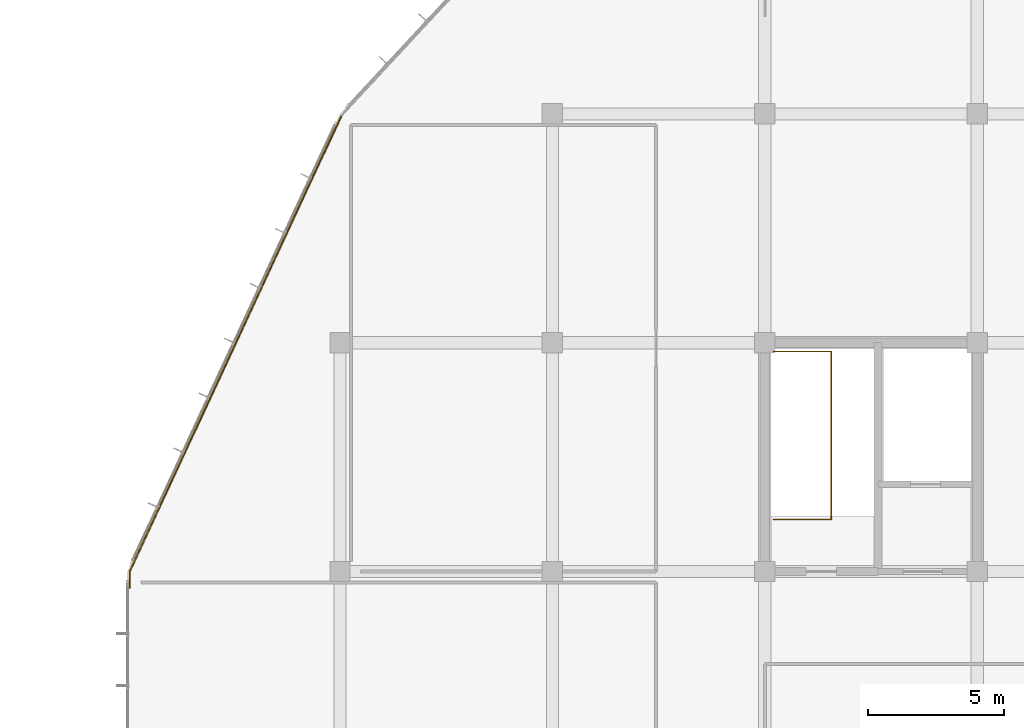
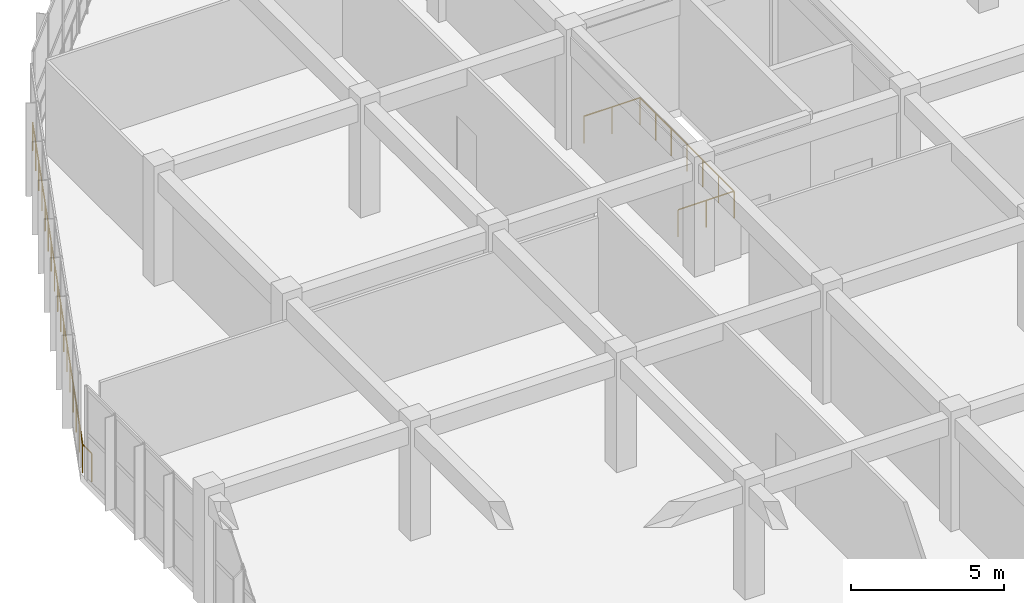
# One storey, part 162 of 167: 3 railings.
"""IFC4 building model written with IfcOpenShell, lengths in metres."""

import ifcopenshell
import ifcopenshell.guid

model = None  # the IFC model being written
_history = None  # IfcOwnerHistory: only IFC2X3 demands one
_inside = {}  # id of a spatial element -> (the spatial element, [elements in it])
_under = {}  # id of a project, library or spatial element -> (it, [spatial elements below it])
_declared = {}  # id of a project -> (the project, [libraries it declares])
_typed = {}  # id of a type object -> (the type object, [elements of that type])
_made_of = {}  # id of a material, layer set ... -> (it, [elements and type objects made of it])


def new_model(schema):
    """Start an empty IFC model of exactly this schema.

    Asked for "IFC4X3", IfcOpenShell would pick the latest addendum, in which some entities
    have other attributes; the version numbers below select the first issue.
    IFC2X3 requires an IfcOwnerHistory on every rooted entity: one is made here for all.
    """
    global model, _history
    if schema == "IFC4X3":
        model = ifcopenshell.file(schema_version=(4, 3, 0, 0))
    else:
        model = ifcopenshell.file(schema=schema)
    _inside.clear()
    _under.clear()
    _declared.clear()
    _typed.clear()
    _made_of.clear()
    _history = None
    if model.schema == "IFC2X3":
        org = make("IfcOrganization", Name="unknown")
        user = make(
            "IfcPersonAndOrganization",
            ThePerson=make("IfcPerson", FamilyName="unknown"),
            TheOrganization=org,
        )
        app = make(
            "IfcApplication",
            ApplicationDeveloper=org,
            Version="unknown",
            ApplicationFullName="unknown",
            ApplicationIdentifier="unknown",
        )
        _history = make(
            "IfcOwnerHistory",
            OwningUser=user,
            OwningApplication=app,
            ChangeAction="ADDED",
            CreationDate=0,
        )
    return model


def make(cls, **values):
    """One entity of the class cls with the attributes given. An attribute that is None is left unset."""
    return model.create_entity(
        cls, **{name: value for name, value in values.items() if value is not None}
    )


def rooted(cls, **values):
    """An entity with a GlobalId (a new one), such as an element, a storey or a relation."""
    return make(cls, GlobalId=ifcopenshell.guid.new(), OwnerHistory=_history, **values)


def si_unit(unit_type, name, prefix=None):
    """IfcSIUnit, for example si_unit("LENGTHUNIT", "METRE", prefix="MILLI")."""
    return make("IfcSIUnit", UnitType=unit_type, Prefix=prefix, Name=name)


def assignment(units):
    """IfcUnitAssignment: the units of a project."""
    return None if units is None else make("IfcUnitAssignment", Units=units)


def point(xyz):
    """IfcCartesianPoint."""
    return None if xyz is None else make("IfcCartesianPoint", Coordinates=xyz)


def direction(xyz):
    """IfcDirection."""
    return None if xyz is None else make("IfcDirection", DirectionRatios=xyz)


def frame(location, z_axis=None, x_axis=None):
    """IfcAxis2Placement3D, a coordinate frame: its origin and axes. An axis left out is left unset."""
    return make(
        "IfcAxis2Placement3D",
        Location=point(location),
        Axis=direction(z_axis),
        RefDirection=direction(x_axis),
    )


def frame_2d(location, x_axis=None):
    """IfcAxis2Placement2D, a coordinate frame in the plane: its origin and x axis."""
    return make(
        "IfcAxis2Placement2D", Location=point(location), RefDirection=direction(x_axis)
    )


def origin():
    """The frame at (0, 0, 0) with its axes left unset."""
    return frame((0.0, 0.0, 0.0))


def origin_2d():
    """The frame at (0, 0) in the plane with its x axis left unset."""
    return frame_2d((0.0, 0.0))


def place(relative_to, where):
    """IfcLocalPlacement: puts the frame where relative to a parent placement (None: the world)."""
    return make(
        "IfcLocalPlacement", PlacementRelTo=relative_to, RelativePlacement=where
    )


def context(
    kind, dimensions, precision=None, world=None, true_north=None, identifier=None
):
    """IfcGeometricRepresentationContext, for example the 3D "Model" context."""
    return make(
        "IfcGeometricRepresentationContext",
        ContextIdentifier=identifier,
        ContextType=kind,
        CoordinateSpaceDimension=dimensions,
        Precision=precision,
        WorldCoordinateSystem=world,
        TrueNorth=true_north,
    )


def subcontext(parent, identifier, kind, view, scale=None):
    """IfcGeometricRepresentationSubContext, for example "Body" below "Model"."""
    return make(
        "IfcGeometricRepresentationSubContext",
        ContextIdentifier=identifier,
        ContextType=kind,
        ParentContext=parent,
        TargetScale=scale,
        TargetView=view,
    )


def project(units=None, contexts=None):
    """IfcProject with its units and contexts."""
    return rooted(
        "IfcProject",
        Name="project",
        RepresentationContexts=contexts,
        UnitsInContext=assignment(units),
    )


def spatial(cls, under=None, at=None, **own):
    """A site, building, storey or space (cls), placed at a placement, below another one or the project."""
    s = rooted(cls, ObjectPlacement=at, **own)
    if under is not None:
        _under.setdefault(under.id(), (under, []))[1].append(s)
    return s


def profile(cls, at=None, kind="AREA", **sizes):
    """A parametric profile (cls). Its sizes go by their IFC names, for example OverallWidth=200.0."""
    return make(cls, ProfileType=kind, Position=at, **sizes)


def hollow_rectangle(**sizes):
    """IfcRectangleHollowProfileDef."""
    return profile("IfcRectangleHollowProfileDef", **sizes)


def circle(**sizes):
    """IfcCircleProfileDef."""
    return profile("IfcCircleProfileDef", **sizes)


def hollow_circle(**sizes):
    """IfcCircleHollowProfileDef."""
    return profile("IfcCircleHollowProfileDef", **sizes)


def extrude(swept, where, along, depth):
    """IfcExtrudedAreaSolid: the profile swept, set in the frame where, extruded along a direction by depth."""
    return make(
        "IfcExtrudedAreaSolid",
        SweptArea=swept,
        Position=where,
        ExtrudedDirection=direction(along),
        Depth=depth,
    )


def shape(context_of_items, identifier, shape_type, items):
    """IfcShapeRepresentation: the items that make up one representation, for example the "Body"."""
    return make(
        "IfcShapeRepresentation",
        ContextOfItems=context_of_items,
        RepresentationIdentifier=identifier,
        RepresentationType=shape_type,
        Items=items,
    )


def material(Name=None, Category=None):
    """IfcMaterial."""
    return make("IfcMaterial", Name=Name, Category=Category)


def material_profile(
    of_material, cross_section, Name=None, Category=None, Priority=None
):
    """IfcMaterialProfile: a cross section and its material."""
    return make(
        "IfcMaterialProfile",
        Name=Name,
        Material=of_material,
        Profile=cross_section,
        Priority=Priority,
        Category=Category,
    )


def profile_set(profiles, Name=None, composite=None):
    """IfcMaterialProfileSet."""
    return make(
        "IfcMaterialProfileSet",
        Name=Name,
        MaterialProfiles=profiles,
        CompositeProfile=composite,
    )


def made_of(thing, what):
    """Note that an element or type object is made of a material, layer set ...; save() writes the relation."""
    if what is not None:
        _made_of.setdefault(what.id(), (what, []))[1].append(thing)
    return thing


def type_object(cls, material=None, **own):
    """A type object (cls), such as IfcWallType, which elements share."""
    return made_of(rooted(cls, **own), material)


def element(
    cls,
    number,
    at=None,
    inside=None,
    cuts=None,
    type_object=None,
    material=None,
    context=None,
    identifier="Body",
    shape_type=None,
    held_by="IfcProductDefinitionShape",
    body=None,
    shapes=None,
    **own,
):
    """One element of the class cls, such as IfcWall. Its Tag is "e" and its number.

    at: its placement. inside: the storey or other place that contains it. cuts: it is an
    opening in that element (IfcRelVoidsElement). A single representation is given by context,
    identifier, shape_type and body (its items); several are given by shapes. held_by: the class
    of the entity that holds the representations. save() writes the other relations.
    """
    e = rooted(cls, Tag="e%d" % number, ObjectPlacement=at, **own)
    if body is not None:
        shapes = [shape(context, identifier, shape_type, body)]
    if shapes is not None:
        e.Representation = make(held_by, Representations=shapes)
    if inside is not None:
        _inside.setdefault(inside.id(), (inside, []))[1].append(e)
    if cuts is not None:
        rooted(
            "IfcRelVoidsElement", RelatingBuildingElement=cuts, RelatedOpeningElement=e
        )
    if type_object is not None:
        _typed.setdefault(type_object.id(), (type_object, []))[1].append(e)
    return made_of(e, material)


def aggregate(whole, parts):
    """IfcRelAggregates: a whole, such as a stair, and the parts it consists of."""
    return rooted("IfcRelAggregates", RelatingObject=whole, RelatedObjects=parts)


def save(model, path):
    """Write the relations noted so far, then the file.

    IfcRelAggregates (storeys below a building ...), IfcRelContainedInSpatialStructure (elements
    in a storey), IfcRelDefinesByType, IfcRelAssociatesMaterial and IfcRelDeclares: one each for
    every whole, place, type object, material and project.
    """
    for whole, parts in _under.values():
        aggregate(whole, parts)
    for where, things in _inside.values():
        rooted(
            "IfcRelContainedInSpatialStructure",
            RelatedElements=things,
            RelatingStructure=where,
        )
    for kind, things in _typed.values():
        rooted("IfcRelDefinesByType", RelatedObjects=things, RelatingType=kind)
    for what, things in _made_of.values():
        rooted("IfcRelAssociatesMaterial", RelatedObjects=things, RelatingMaterial=what)
    for by, libraries in _declared.values():
        rooted("IfcRelDeclares", RelatingContext=by, RelatedDefinitions=libraries)
    model.write(path)


model = new_model("IFC4")

# Units and contexts
model_context = context("Model", 3, precision=1e-05, world=origin(), true_north=direction((0.0, 1.0)))
body_context = subcontext(model_context, "Body", "Model", "MODEL_VIEW")
ifc_project = project(units=[si_unit("LENGTHUNIT", "METRE"), si_unit("AREAUNIT", "SQUARE_METRE"), si_unit("VOLUMEUNIT", "CUBIC_METRE"), si_unit("PLANEANGLEUNIT", "RADIAN"), si_unit("MASSUNIT", "GRAM", prefix="KILO")], contexts=[model_context])

# Site, building, storey
site_placement = place(None, origin())
site = spatial("IfcSite", under=ifc_project, at=site_placement, CompositionType="ELEMENT")
building_placement = place(site_placement, origin())
building = spatial("IfcBuilding", under=site, at=building_placement, Name="Zizhar Promenade General Hospital", CompositionType="ELEMENT")
storey_placement = place(building_placement, frame((0.0, 0.0, 9.60009765625)))
storey = spatial("IfcBuildingStorey", under=building, at=storey_placement, Name="L02", CompositionType="ELEMENT", Elevation=9.60009765625)

# Railings
ifc_material_1 = material(Name="Steel S355", Category="steel")
ifc_material_profile_1 = material_profile(ifc_material_1, hollow_rectangle(XDim=0.06005859375, YDim=0.1201171875, WallThickness=0.00390625, at=origin_2d()))
ifc_profile_set_1 = profile_set([ifc_material_profile_1], Name="Steel S355")
railing_type_1 = type_object("IfcRailingType", Name="RL-GUARD-EXT-1150", PredefinedType="GUARDRAIL", material=ifc_profile_set_1)
railing_1_placement = place(storey_placement, frame((0.080078125, 49.800048828125, 0.0)))
element("IfcRailing", 1, at=railing_1_placement, inside=storey, type_object=railing_type_1, Name="Perimeter Safety Guardrail L02-01", PredefinedType="GUARDRAIL", context=body_context, shape_type="SweptSolid", body=[
    extrude(circle(Radius=0.02392578125, at=origin_2d()), frame((0.0, 0.0, 1.1259765625), z_axis=(0.0, 1.0, 0.0), x_axis=(-1.0, 0.0, 0.0)), (0.0, 0.0, 1.0), 0.599853515625),
    extrude(circle(Radius=0.02099609375, at=origin_2d()), origin(), (0.0, 0.0, 1.0), 1.101806640625),
    extrude(circle(Radius=0.02099609375, at=origin_2d()), frame((0.0, 0.599853515625, 0.0)), (0.0, 0.0, 1.0), 1.101806640625),
])
railing_2_placement = place(storey_placement, frame((0.080078125, 50.39990234375, 0.0)))
element("IfcRailing", 2, at=railing_2_placement, inside=storey, type_object=railing_type_1, Name="Perimeter Safety Guardrail L02-02", PredefinedType="GUARDRAIL", context=body_context, shape_type="SweptSolid", body=[
    extrude(circle(Radius=0.02392578125, at=origin_2d()), frame((0.0, 0.0, 1.1259765625), z_axis=(0.421255782786, 0.906941875463, 0.0), x_axis=(-0.906941875463, 0.421255782786, 0.0)), (0.0, 0.0, 1.0), 18.46875),
    extrude(circle(Radius=0.02099609375, at=origin_2d()), origin(), (0.0, 0.0, 1.0), 1.101806640625),
    extrude(circle(Radius=0.02099609375, at=origin_2d()), frame((0.486328125, 1.046875, 0.0)), (0.0, 0.0, 1.0), 1.101806640625),
    extrude(circle(Radius=0.02099609375, at=origin_2d()), frame((0.972412109375, 2.09375, 0.0)), (0.0, 0.0, 1.0), 1.101806640625),
    extrude(circle(Radius=0.02099609375, at=origin_2d()), frame((1.458740234375, 3.140625, 0.0)), (0.0, 0.0, 1.0), 1.101806640625),
    extrude(circle(Radius=0.02099609375, at=origin_2d()), frame((1.945068359375, 4.1875, 0.0)), (0.0, 0.0, 1.0), 1.101806640625),
    extrude(circle(Radius=0.02099609375, at=origin_2d()), frame((2.43115234375, 5.234375, 0.0)), (0.0, 0.0, 1.0), 1.101806640625),
    extrude(circle(Radius=0.02099609375, at=origin_2d()), frame((2.91748046875, 6.28125, 0.0)), (0.0, 0.0, 1.0), 1.101806640625),
    extrude(circle(Radius=0.02099609375, at=origin_2d()), frame((3.40380859375, 7.328125, 0.0)), (0.0, 0.0, 1.0), 1.101806640625),
    extrude(circle(Radius=0.02099609375, at=origin_2d()), frame((3.89013671875, 8.375, 0.0)), (0.0, 0.0, 1.0), 1.101806640625),
    extrude(circle(Radius=0.02099609375, at=origin_2d()), frame((4.376220703125, 9.421875, 0.0)), (0.0, 0.0, 1.0), 1.101806640625),
    extrude(circle(Radius=0.02099609375, at=origin_2d()), frame((4.862548828125, 10.46875, 0.0)), (0.0, 0.0, 1.0), 1.101806640625),
    extrude(circle(Radius=0.02099609375, at=origin_2d()), frame((5.348876953125, 11.515625, 0.0)), (0.0, 0.0, 1.0), 1.101806640625),
    extrude(circle(Radius=0.02099609375, at=origin_2d()), frame((5.8349609375, 12.5625, 0.0)), (0.0, 0.0, 1.0), 1.101806640625),
    extrude(circle(Radius=0.02099609375, at=origin_2d()), frame((6.3212890625, 13.609375, 0.0)), (0.0, 0.0, 1.0), 1.101806640625),
    extrude(circle(Radius=0.02099609375, at=origin_2d()), frame((6.8076171875, 14.65625, 0.0)), (0.0, 0.0, 1.0), 1.101806640625),
    extrude(circle(Radius=0.02099609375, at=origin_2d()), frame((7.293701171875, 15.703125, 0.0)), (0.0, 0.0, 1.0), 1.101806640625),
    extrude(circle(Radius=0.02099609375, at=origin_2d()), frame((7.780029296875, 16.75, 0.0)), (0.0, 0.0, 1.0), 1.101806640625),
])
ifc_material_2 = material(Name="Steel S355", Category="steel")
ifc_material_profile_2 = material_profile(ifc_material_2, hollow_circle(Radius=0.06982421875, WallThickness=0.00634765625, at=origin_2d()))
ifc_profile_set_2 = profile_set([ifc_material_profile_2], Name="Steel S355")
railing_type_2 = type_object("IfcRailingType", Name="RL-STAIR-GUARD-1100", PredefinedType="GUARDRAIL", material=ifc_profile_set_2)
railing_3_placement = place(storey_placement, frame((23.719970703125, 52.31005859375, 0.0)))
element("IfcRailing", 3, at=railing_3_placement, inside=storey, type_object=railing_type_2, Name="Stair ST-01 Top Well Guard (L02)", PredefinedType="GUARDRAIL", context=body_context, shape_type="SweptSolid", body=[
    extrude(circle(Radius=0.02392578125, at=origin_2d()), frame((0.0, 0.0, 1.076171875), z_axis=(1.0, 0.0, 0.0), x_axis=(0.0, 1.0, 0.0)), (0.0, 0.0, 1.0), 2.1201171875),
    extrude(circle(Radius=0.02392578125, at=origin_2d()), frame((2.1201171875, 0.0, 1.076171875), z_axis=(0.0, 1.0, 0.0), x_axis=(-1.0, 0.0, 0.0)), (0.0, 0.0, 1.0), 6.169921875),
    extrude(circle(Radius=0.02392578125, at=origin_2d()), frame((2.1201171875, 6.169921875, 1.076171875), z_axis=(-1.0, 0.0, 0.0), x_axis=(0.0, -1.0, 0.0)), (0.0, 0.0, 1.0), 2.1201171875),
    extrude(circle(Radius=0.02099609375, at=origin_2d()), origin(), (0.0, 0.0, 1.0), 1.052001953125),
    extrude(circle(Radius=0.02099609375, at=origin_2d()), frame((1.06005859375, 0.0, 0.0)), (0.0, 0.0, 1.0), 1.052001953125),
    extrude(circle(Radius=0.02099609375, at=origin_2d()), frame((2.1201171875, 0.0, 0.0)), (0.0, 0.0, 1.0), 1.052001953125),
    extrude(circle(Radius=0.02099609375, at=origin_2d()), frame((2.1201171875, 1.0283203125, 0.0)), (0.0, 0.0, 1.0), 1.052001953125),
    extrude(circle(Radius=0.02099609375, at=origin_2d()), frame((2.1201171875, 2.056640625, 0.0)), (0.0, 0.0, 1.0), 1.052001953125),
    extrude(circle(Radius=0.02099609375, at=origin_2d()), frame((2.1201171875, 3.0849609375, 0.0)), (0.0, 0.0, 1.0), 1.052001953125),
    extrude(circle(Radius=0.02099609375, at=origin_2d()), frame((2.1201171875, 4.11328125, 0.0)), (0.0, 0.0, 1.0), 1.052001953125),
    extrude(circle(Radius=0.02099609375, at=origin_2d()), frame((2.1201171875, 5.1416015625, 0.0)), (0.0, 0.0, 1.0), 1.052001953125),
    extrude(circle(Radius=0.02099609375, at=origin_2d()), frame((2.1201171875, 6.169921875, 0.0)), (0.0, 0.0, 1.0), 1.052001953125),
    extrude(circle(Radius=0.02099609375, at=origin_2d()), frame((1.06005859375, 6.169921875, 0.0)), (0.0, 0.0, 1.0), 1.052001953125),
    extrude(circle(Radius=0.02099609375, at=origin_2d()), frame((0.0, 6.169921875, 0.0)), (0.0, 0.0, 1.0), 1.052001953125),
])

save(model, "model.ifc")
